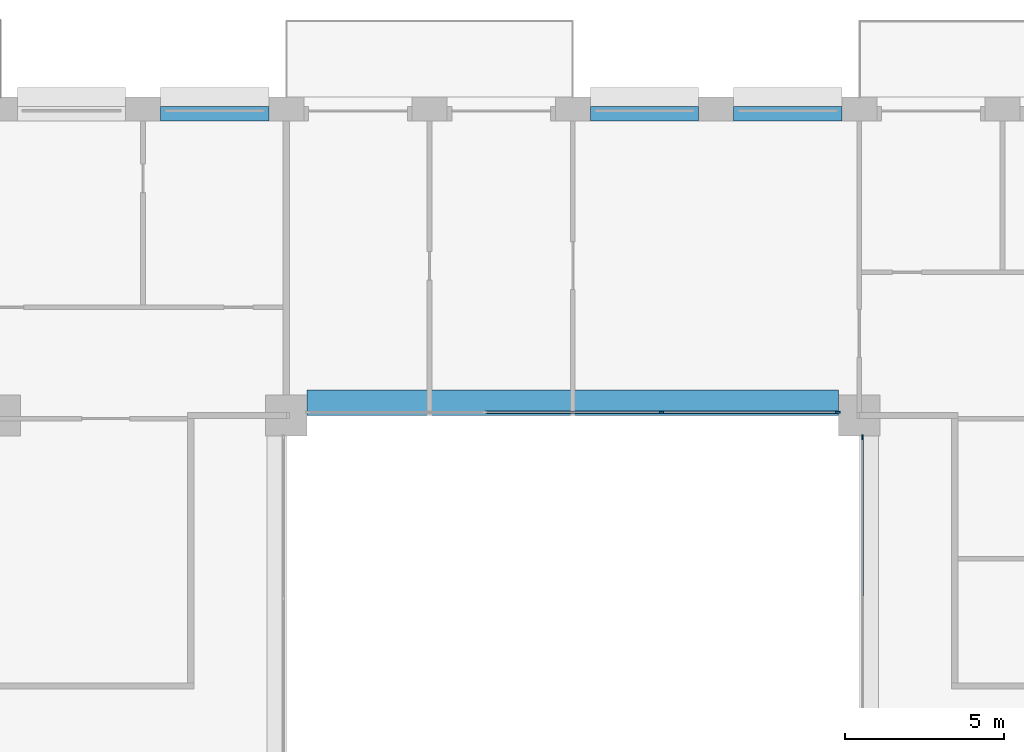
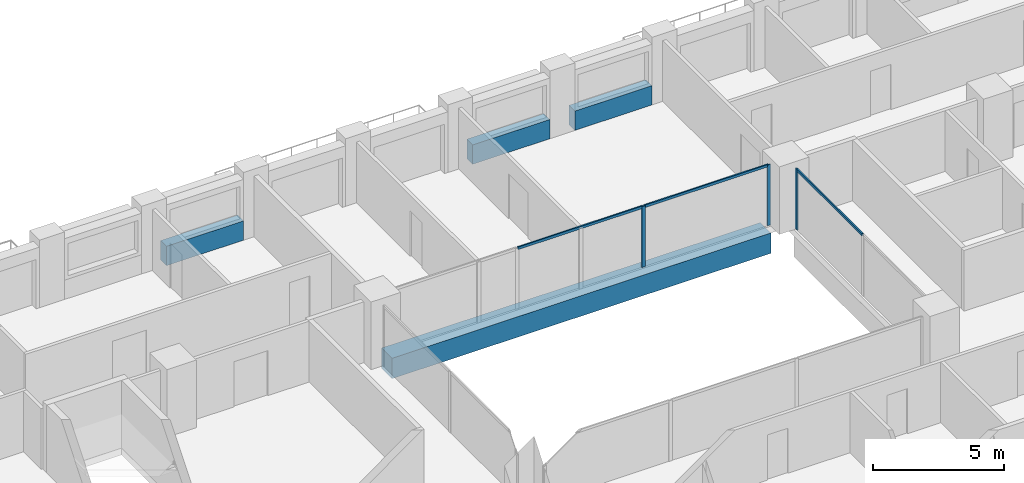
# One storey, part 6 of 16: 6 members, 4 beams, 2 elements without a shape of their own.
"""IFC4 building model written with IfcOpenShell, lengths in metres."""

import ifcopenshell
import ifcopenshell.guid

model = None  # the IFC model being written
_history = None  # IfcOwnerHistory: only IFC2X3 demands one
_inside = {}  # id of a spatial element -> (the spatial element, [elements in it])
_under = {}  # id of a project, library or spatial element -> (it, [spatial elements below it])
_declared = {}  # id of a project -> (the project, [libraries it declares])
_typed = {}  # id of a type object -> (the type object, [elements of that type])
_made_of = {}  # id of a material, layer set ... -> (it, [elements and type objects made of it])


def new_model(schema):
    """Start an empty IFC model of exactly this schema.

    Asked for "IFC4X3", IfcOpenShell would pick the latest addendum, in which some entities
    have other attributes; the version numbers below select the first issue.
    IFC2X3 requires an IfcOwnerHistory on every rooted entity: one is made here for all.
    """
    global model, _history
    if schema == "IFC4X3":
        model = ifcopenshell.file(schema_version=(4, 3, 0, 0))
    else:
        model = ifcopenshell.file(schema=schema)
    _inside.clear()
    _under.clear()
    _declared.clear()
    _typed.clear()
    _made_of.clear()
    _history = None
    if model.schema == "IFC2X3":
        org = make("IfcOrganization", Name="unknown")
        user = make(
            "IfcPersonAndOrganization",
            ThePerson=make("IfcPerson", FamilyName="unknown"),
            TheOrganization=org,
        )
        app = make(
            "IfcApplication",
            ApplicationDeveloper=org,
            Version="unknown",
            ApplicationFullName="unknown",
            ApplicationIdentifier="unknown",
        )
        _history = make(
            "IfcOwnerHistory",
            OwningUser=user,
            OwningApplication=app,
            ChangeAction="ADDED",
            CreationDate=0,
        )
    return model


def make(cls, **values):
    """One entity of the class cls with the attributes given. An attribute that is None is left unset."""
    return model.create_entity(
        cls, **{name: value for name, value in values.items() if value is not None}
    )


def rooted(cls, **values):
    """An entity with a GlobalId (a new one), such as an element, a storey or a relation."""
    return make(cls, GlobalId=ifcopenshell.guid.new(), OwnerHistory=_history, **values)


def si_unit(unit_type, name, prefix=None):
    """IfcSIUnit, for example si_unit("LENGTHUNIT", "METRE", prefix="MILLI")."""
    return make("IfcSIUnit", UnitType=unit_type, Prefix=prefix, Name=name)


def assignment(units):
    """IfcUnitAssignment: the units of a project."""
    return None if units is None else make("IfcUnitAssignment", Units=units)


def point(xyz):
    """IfcCartesianPoint."""
    return None if xyz is None else make("IfcCartesianPoint", Coordinates=xyz)


def direction(xyz):
    """IfcDirection."""
    return None if xyz is None else make("IfcDirection", DirectionRatios=xyz)


def frame(location, z_axis=None, x_axis=None):
    """IfcAxis2Placement3D, a coordinate frame: its origin and axes. An axis left out is left unset."""
    return make(
        "IfcAxis2Placement3D",
        Location=point(location),
        Axis=direction(z_axis),
        RefDirection=direction(x_axis),
    )


def frame_2d(location, x_axis=None):
    """IfcAxis2Placement2D, a coordinate frame in the plane: its origin and x axis."""
    return make(
        "IfcAxis2Placement2D", Location=point(location), RefDirection=direction(x_axis)
    )


def origin():
    """The frame at (0, 0, 0) with its axes left unset."""
    return frame((0.0, 0.0, 0.0))


def origin_2d():
    """The frame at (0, 0) in the plane with its x axis left unset."""
    return frame_2d((0.0, 0.0))


def place(relative_to, where):
    """IfcLocalPlacement: puts the frame where relative to a parent placement (None: the world)."""
    return make(
        "IfcLocalPlacement", PlacementRelTo=relative_to, RelativePlacement=where
    )


def context(
    kind, dimensions, precision=None, world=None, true_north=None, identifier=None
):
    """IfcGeometricRepresentationContext, for example the 3D "Model" context."""
    return make(
        "IfcGeometricRepresentationContext",
        ContextIdentifier=identifier,
        ContextType=kind,
        CoordinateSpaceDimension=dimensions,
        Precision=precision,
        WorldCoordinateSystem=world,
        TrueNorth=true_north,
    )


def subcontext(parent, identifier, kind, view, scale=None):
    """IfcGeometricRepresentationSubContext, for example "Body" below "Model"."""
    return make(
        "IfcGeometricRepresentationSubContext",
        ContextIdentifier=identifier,
        ContextType=kind,
        ParentContext=parent,
        TargetScale=scale,
        TargetView=view,
    )


def project(units=None, contexts=None):
    """IfcProject with its units and contexts."""
    return rooted(
        "IfcProject",
        Name="project",
        RepresentationContexts=contexts,
        UnitsInContext=assignment(units),
    )


def spatial(cls, under=None, at=None, **own):
    """A site, building, storey or space (cls), placed at a placement, below another one or the project."""
    s = rooted(cls, ObjectPlacement=at, **own)
    if under is not None:
        _under.setdefault(under.id(), (under, []))[1].append(s)
    return s


def profile(cls, at=None, kind="AREA", **sizes):
    """A parametric profile (cls). Its sizes go by their IFC names, for example OverallWidth=200.0."""
    return make(cls, ProfileType=kind, Position=at, **sizes)


def rectangle(**sizes):
    """IfcRectangleProfileDef."""
    return profile("IfcRectangleProfileDef", **sizes)


def extrude(swept, where, along, depth):
    """IfcExtrudedAreaSolid: the profile swept, set in the frame where, extruded along a direction by depth."""
    return make(
        "IfcExtrudedAreaSolid",
        SweptArea=swept,
        Position=where,
        ExtrudedDirection=direction(along),
        Depth=depth,
    )


def shape(context_of_items, identifier, shape_type, items):
    """IfcShapeRepresentation: the items that make up one representation, for example the "Body"."""
    return make(
        "IfcShapeRepresentation",
        ContextOfItems=context_of_items,
        RepresentationIdentifier=identifier,
        RepresentationType=shape_type,
        Items=items,
    )


def material(Name=None, Category=None):
    """IfcMaterial."""
    return make("IfcMaterial", Name=Name, Category=Category)


def layer(
    of_material, thickness, ventilated=None, Name=None, Category=None, Priority=None
):
    """IfcMaterialLayer: one layer of a wall or slab, of a material (None: an air gap)."""
    return make(
        "IfcMaterialLayer",
        Material=of_material,
        LayerThickness=thickness,
        IsVentilated=ventilated,
        Name=Name,
        Category=Category,
        Priority=Priority,
    )


def layer_set(layers, Name=None):
    """IfcMaterialLayerSet."""
    return make("IfcMaterialLayerSet", MaterialLayers=layers, LayerSetName=Name)


def material_profile(
    of_material, cross_section, Name=None, Category=None, Priority=None
):
    """IfcMaterialProfile: a cross section and its material."""
    return make(
        "IfcMaterialProfile",
        Name=Name,
        Material=of_material,
        Profile=cross_section,
        Priority=Priority,
        Category=Category,
    )


def profile_set(profiles, Name=None, composite=None):
    """IfcMaterialProfileSet."""
    return make(
        "IfcMaterialProfileSet",
        Name=Name,
        MaterialProfiles=profiles,
        CompositeProfile=composite,
    )


def made_of(thing, what):
    """Note that an element or type object is made of a material, layer set ...; save() writes the relation."""
    if what is not None:
        _made_of.setdefault(what.id(), (what, []))[1].append(thing)
    return thing


def type_object(cls, material=None, **own):
    """A type object (cls), such as IfcWallType, which elements share."""
    return made_of(rooted(cls, **own), material)


def element(
    cls,
    number,
    at=None,
    inside=None,
    cuts=None,
    type_object=None,
    material=None,
    context=None,
    identifier="Body",
    shape_type=None,
    held_by="IfcProductDefinitionShape",
    body=None,
    shapes=None,
    **own,
):
    """One element of the class cls, such as IfcWall. Its Tag is "e" and its number.

    at: its placement. inside: the storey or other place that contains it. cuts: it is an
    opening in that element (IfcRelVoidsElement). A single representation is given by context,
    identifier, shape_type and body (its items); several are given by shapes. held_by: the class
    of the entity that holds the representations. save() writes the other relations.
    """
    e = rooted(cls, Tag="e%d" % number, ObjectPlacement=at, **own)
    if body is not None:
        shapes = [shape(context, identifier, shape_type, body)]
    if shapes is not None:
        e.Representation = make(held_by, Representations=shapes)
    if inside is not None:
        _inside.setdefault(inside.id(), (inside, []))[1].append(e)
    if cuts is not None:
        rooted(
            "IfcRelVoidsElement", RelatingBuildingElement=cuts, RelatedOpeningElement=e
        )
    if type_object is not None:
        _typed.setdefault(type_object.id(), (type_object, []))[1].append(e)
    return made_of(e, material)


def aggregate(whole, parts):
    """IfcRelAggregates: a whole, such as a stair, and the parts it consists of."""
    return rooted("IfcRelAggregates", RelatingObject=whole, RelatedObjects=parts)


def save(model, path):
    """Write the relations noted so far, then the file.

    IfcRelAggregates (storeys below a building ...), IfcRelContainedInSpatialStructure (elements
    in a storey), IfcRelDefinesByType, IfcRelAssociatesMaterial and IfcRelDeclares: one each for
    every whole, place, type object, material and project.
    """
    for whole, parts in _under.values():
        aggregate(whole, parts)
    for where, things in _inside.values():
        rooted(
            "IfcRelContainedInSpatialStructure",
            RelatedElements=things,
            RelatingStructure=where,
        )
    for kind, things in _typed.values():
        rooted("IfcRelDefinesByType", RelatedObjects=things, RelatingType=kind)
    for what, things in _made_of.values():
        rooted("IfcRelAssociatesMaterial", RelatedObjects=things, RelatingMaterial=what)
    for by, libraries in _declared.values():
        rooted("IfcRelDeclares", RelatingContext=by, RelatedDefinitions=libraries)
    model.write(path)


model = new_model("IFC4")

# Units and contexts
model_context = context("Model", 3, precision=1e-05, world=origin(), true_north=direction((0.0, 1.0)))
body_context = subcontext(model_context, "Body", "Model", "MODEL_VIEW")
ifc_project = project(units=[si_unit("LENGTHUNIT", "METRE"), si_unit("AREAUNIT", "SQUARE_METRE"), si_unit("VOLUMEUNIT", "CUBIC_METRE"), si_unit("PLANEANGLEUNIT", "RADIAN"), si_unit("MASSUNIT", "GRAM", prefix="KILO")], contexts=[model_context])

# Site, building, storey
site_placement = place(None, origin())
site = spatial("IfcSite", under=ifc_project, at=site_placement, CompositionType="ELEMENT")
building_placement = place(site_placement, origin())
building = spatial("IfcBuilding", under=site, at=building_placement, Name="Brigalow Station Residences", CompositionType="ELEMENT")
storey_placement = place(building_placement, frame((0.0, 0.0, 118.199951171875)))
storey = spatial("IfcBuildingStorey", under=building, at=storey_placement, Name="L34", CompositionType="ELEMENT", Elevation=118.199951171875)

# Beam
ifc_material_1 = material(Name="Concrete C65", Category="concrete")
ifc_material_profile_1 = material_profile(ifc_material_1, rectangle(XDim=0.800048828125, YDim=0.949951171875, at=origin_2d()), Name="RC800x950")
ifc_profile_set_1 = profile_set([ifc_material_profile_1], Name="Concrete C65")
beam_type_1 = type_object("IfcBeamType", Name="ATRIUM EDGE GIRDER OVER 13.5 M SPAN 800x950 C65", PredefinedType="BEAM", material=ifc_profile_set_1)
beam_placement = place(storey_placement, frame((27.64990234375, 35.89990234375, -0.794921875), z_axis=(1.0, 0.0, 0.0), x_axis=(0.0, 1.0, 0.0)))
element("IfcBeam", 1, at=beam_placement, inside=storey, type_object=beam_type_1, Name="ATRIUM EDGE GIRDER D L34", PredefinedType="BEAM", context=body_context, shape_type="SweptSolid", body=[
    extrude(rectangle(XDim=0.800048828125, YDim=0.949951171875, at=origin_2d()), origin(), (0.0, 0.0, 1.0), 16.7001953125),
])

# Curtain wall, member
ifc_material_2 = material(Name="Aluminium", Category="aluminium")
ifc_layer = layer(ifc_material_2, 0.14990234375)
ifc_layer_set = layer_set([ifc_layer], Name="ATRIUM FIRE-RATED GLAZING CURTAIN WALL")
curtain_wall_type = type_object("IfcCurtainWallType", Name="ATRIUM FIRE-RATED GLAZING CURTAIN WALL", PredefinedType="NOTDEFINED", material=ifc_layer_set)
curtain_wall_1_placement = place(storey_placement, origin())
curtain_wall_1 = element("IfcCurtainWall", 2, at=curtain_wall_1_placement, inside=storey, type_object=curtain_wall_type, Name="L34/cw/atrium-E", PredefinedType="NOTDEFINED")
ifc_material_3 = material(Name="Aluminium", Category="aluminium")
ifc_material_profile_2 = material_profile(ifc_material_3, rectangle(XDim=0.06005859375, YDim=0.14990234375, at=origin_2d()), Name="ATRIUM FIRE-RATED GLAZING MULLION 60x150")
ifc_profile_set_2 = profile_set([ifc_material_profile_2], Name="Aluminium")
member_type_1 = type_object("IfcMemberType", Name="ATRIUM FIRE-RATED GLAZING MULLION 60x150", PredefinedType="MULLION", material=ifc_profile_set_2)
member_1_placement = place(storey_placement, frame((45.10009765625, 34.820068359375, 0.0), z_axis=(0.0, 0.0, 1.0), x_axis=(-1.0, 0.0, 0.0)))
member_1 = element("IfcMember", 3, at=member_1_placement, type_object=member_type_1, Name="L34/cw/atrium-E/M02", PredefinedType="MULLION", context=body_context, shape_type="SweptSolid", body=[
    extrude(rectangle(XDim=0.06005859375, YDim=0.14990234375, at=origin_2d()), origin(), (0.0, 0.0, 1.0), 2.830078125),
])

# Curtain wall, members
curtain_wall_2_placement = place(storey_placement, origin())
curtain_wall_2 = element("IfcCurtainWall", 4, at=curtain_wall_2_placement, inside=storey, type_object=curtain_wall_type, Name="L34/cw/atrium-N", PredefinedType="NOTDEFINED")
member_2_placement = place(storey_placement, frame((44.320068359375, 35.60009765625, 0.0), z_axis=(0.0, 0.0, 1.0), x_axis=(0.0, -1.0, 0.0)))
member_2 = element("IfcMember", 5, at=member_2_placement, type_object=member_type_1, Name="L34/cw/atrium-N/M00", PredefinedType="MULLION", context=body_context, shape_type="SweptSolid", body=[
    extrude(rectangle(XDim=0.06005859375, YDim=0.14990234375, at=origin_2d()), origin(), (0.0, 0.0, 1.0), 2.830078125),
])
member_3_placement = place(storey_placement, frame((38.783203125, 35.60009765625, 0.0), z_axis=(0.0, 0.0, 1.0), x_axis=(0.0, -1.0, 0.0)))
member_3 = element("IfcMember", 6, at=member_3_placement, type_object=member_type_1, Name="L34/cw/atrium-N/M01", PredefinedType="MULLION", context=body_context, shape_type="SweptSolid", body=[
    extrude(rectangle(XDim=0.06005859375, YDim=0.14990234375, at=origin_2d()), origin(), (0.0, 0.0, 1.0), 2.830078125),
])

# Member
ifc_material_4 = material(Name="Aluminium", Category="aluminium")
ifc_material_profile_3 = material_profile(ifc_material_4, rectangle(XDim=0.06005859375, YDim=0.1201171875, at=origin_2d()), Name="ATRIUM FIRE-RATED GLAZING TRANSOM 60x120")
ifc_profile_set_3 = profile_set([ifc_material_profile_3], Name="Aluminium")
member_type_2 = type_object("IfcMemberType", Name="ATRIUM FIRE-RATED GLAZING TRANSOM 60x120", PredefinedType="USERDEFINED", material=ifc_profile_set_3)
member_4_placement = place(storey_placement, frame((45.10009765625, 29.780029296875, 2.800048828125), z_axis=(0.0, 1.0, 0.0), x_axis=(-1.0, 0.0, 0.0)))
member_4 = element("IfcMember", 7, at=member_4_placement, type_object=member_type_2, Name="L34/cw/atrium-E/T01-00", ObjectType="TRANSOM", PredefinedType="USERDEFINED", context=body_context, shape_type="SweptSolid", body=[
    extrude(rectangle(XDim=0.06005859375, YDim=0.1201171875, at=origin_2d()), origin(), (0.0, 0.0, 1.0), 5.010009765625),
])

aggregate(curtain_wall_1, [member_1, member_4])

member_5_placement = place(storey_placement, frame((44.2900390625, 35.60009765625, 2.800048828125), z_axis=(-1.0, 0.0, 0.0), x_axis=(0.0, -1.0, 0.0)))
member_5 = element("IfcMember", 8, at=member_5_placement, type_object=member_type_2, Name="L34/cw/atrium-N/T00-00", ObjectType="TRANSOM", PredefinedType="USERDEFINED", context=body_context, shape_type="SweptSolid", body=[
    extrude(rectangle(XDim=0.06005859375, YDim=0.1201171875, at=origin_2d()), origin(), (0.0, 0.0, 1.0), 5.476806640625),
])

member_6_placement = place(storey_placement, frame((38.75341796875, 35.60009765625, 2.800048828125), z_axis=(-1.0, 0.0, 0.0), x_axis=(0.0, -1.0, 0.0)))
member_6 = element("IfcMember", 9, at=member_6_placement, type_object=member_type_2, Name="L34/cw/atrium-N/T01-00", ObjectType="TRANSOM", PredefinedType="USERDEFINED", context=body_context, shape_type="SweptSolid", body=[
    extrude(rectangle(XDim=0.06005859375, YDim=0.1201171875, at=origin_2d()), origin(), (0.0, 0.0, 1.0), 5.5068359375),
])

aggregate(curtain_wall_2, [member_2, member_3, member_5, member_6])

# Beams
ifc_material_5 = material(Name="Concrete C65", Category="concrete")
ifc_material_profile_4 = material_profile(ifc_material_5, rectangle(XDim=0.449951171875, YDim=0.89990234375, at=origin_2d()), Name="RC450x900")
ifc_profile_set_4 = profile_set([ifc_material_profile_4], Name="Concrete C65")
beam_type_2 = type_object("IfcBeamType", Name="SPANDREL BEAM 450x900 C65", PredefinedType="SPANDREL", material=ifc_profile_set_4)
for number, where, z_axis, x_axis, name in (
    (10, (44.449951171875, 44.97509765625, 0.449951171875), (-1.0, 0.0, 0.0), (0.0, -1.0, 0.0), "L34/spandrel/W-L34-29"),
    (11, (39.949951171875, 44.97509765625, 0.449951171875), (-1.0, 0.0, 0.0), (0.0, -1.0, 0.0), "L34/spandrel/W-L34-30"),
    (12, (26.449951171875, 44.97509765625, 0.449951171875), (-1.0, 0.0, 0.0), (0.0, -1.0, 0.0), "L34/spandrel/W-L34-33"),
):
    element("IfcBeam", number, at=place(storey_placement, frame(where, z_axis=z_axis, x_axis=x_axis)), inside=storey, type_object=beam_type_2, Name=name, PredefinedType="SPANDREL", context=body_context, shape_type="SweptSolid", body=[
        extrude(rectangle(XDim=0.449951171875, YDim=0.89990234375, at=origin_2d()), origin(), (0.0, 0.0, 1.0), 3.39990234375),
    ])

save(model, "model.ifc")
